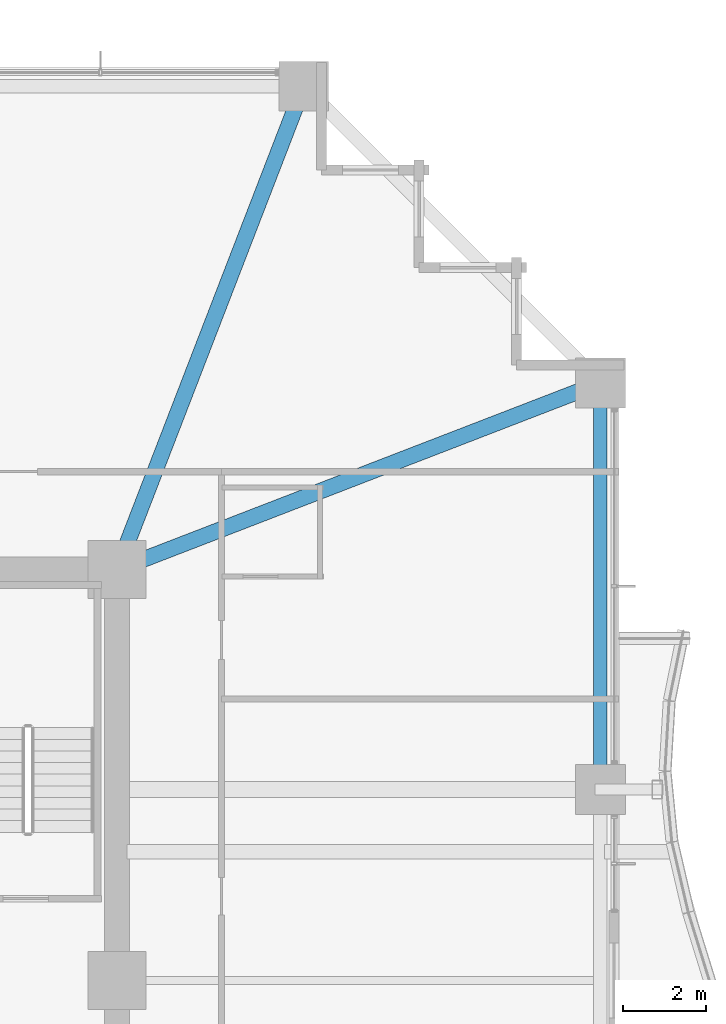
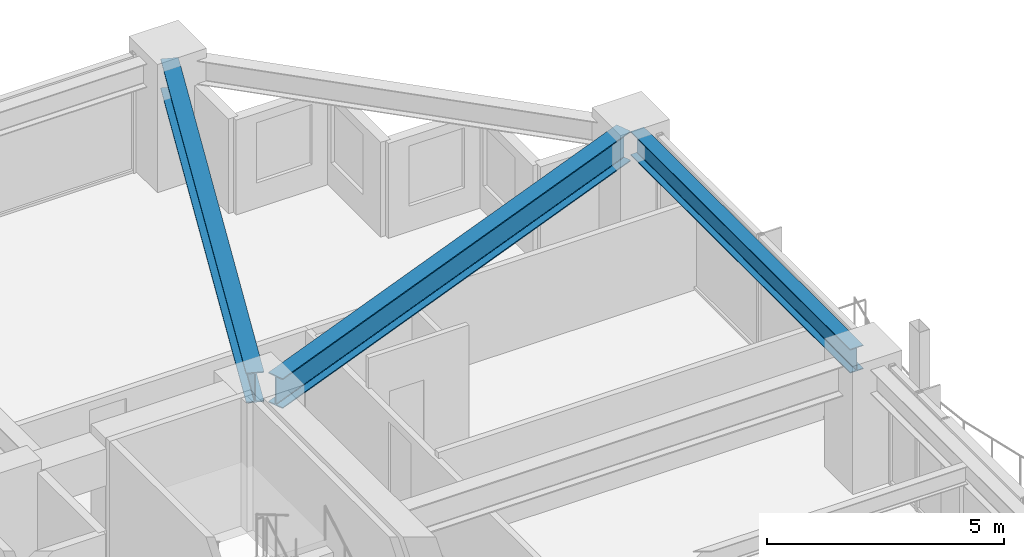
# One storey, part 22 of 36: 3 beams.
"""IFC4 building model written with IfcOpenShell, lengths in metres."""

from ifc_helpers import new_model, si_unit, direction, frame, origin, origin_2d, place, context, subcontext, project, spatial, i_section, extrude, material, material_profile, profile_set, type_object, element, save


model = new_model("IFC4")

# Units and contexts
model_context = context("Model", 3, precision=1e-05, world=origin(), true_north=direction((0.0, 1.0)))
body_context = subcontext(model_context, "Body", "Model", "MODEL_VIEW")
ifc_project = project(units=[si_unit("LENGTHUNIT", "METRE"), si_unit("AREAUNIT", "SQUARE_METRE"), si_unit("VOLUMEUNIT", "CUBIC_METRE"), si_unit("PLANEANGLEUNIT", "RADIAN"), si_unit("MASSUNIT", "GRAM", prefix="KILO")], contexts=[model_context])

# Site, building, storey
site_placement = place(None, origin())
site = spatial("IfcSite", under=ifc_project, at=site_placement, CompositionType="ELEMENT")
building_placement = place(site_placement, origin())
building = spatial("IfcBuilding", under=site, at=building_placement, Name="Kolvaren Belvedere", CompositionType="ELEMENT")
storey_placement = place(building_placement, frame((0.0, 0.0, 46.89990234375)))
storey = spatial("IfcBuildingStorey", under=building, at=storey_placement, Name="L13", CompositionType="ELEMENT", Elevation=46.89990234375)

# Beams
ifc_material_1 = material(Name="Structural steel ASTM A992 Grade 50", Category="steel")
ifc_material_profile_1 = material_profile(ifc_material_1, i_section(OverallWidth=0.381103515625, OverallDepth=0.77294921875, WebThickness=0.0166015625, FlangeThickness=0.027099609375, FilletRadius=0.02392578125, at=origin_2d()), Name="W30X173")
ifc_profile_set_1 = profile_set([ifc_material_profile_1], Name="Structural steel ASTM A992 Grade 50")
beam_type_1 = type_object("IfcBeamType", Name="BM-GIRD-W30X173", PredefinedType="BEAM", material=ifc_profile_set_1)
for number, where, z_axis, x_axis, name in (
    (1, (10.09814453125, 10.4130859375, 2.673583984375), (0.360318391835, 0.932829382313, 0.0), (-0.932829382313, 0.360318391835, 0.0), "L13 Corner Core-to-Perimeter Girder CC3-N4"),
    (2, (10.4130859375, 10.09814453125, 2.673583984375), (0.932829382313, 0.360318391835, 0.0), (-0.360318391835, 0.932829382313, 0.0), "L13 Corner Core-to-Perimeter Girder CC3-E4"),
):
    element("IfcBeam", number, at=place(storey_placement, frame(where, z_axis=z_axis, x_axis=x_axis)), inside=storey, type_object=beam_type_1, Name=name, PredefinedType="BEAM", context=body_context, shape_type="SweptSolid", body=[
        extrude(i_section(OverallWidth=0.381103515625, OverallDepth=0.77294921875, WebThickness=0.0166015625, FlangeThickness=0.027099609375, FilletRadius=0.02392578125, at=origin_2d()), origin(), (0.0, 0.0, 1.0), 11.698974609375),
    ])
ifc_material_2 = material(Name="Structural steel ASTM A992 Grade 50", Category="steel")
ifc_material_profile_2 = material_profile(ifc_material_2, i_section(OverallWidth=0.324951171875, OverallDepth=0.615966796875, WebThickness=0.013916015625, FlangeThickness=0.021484375, FilletRadius=0.02001953125, at=origin_2d()), Name="W24X117")
ifc_profile_set_2 = profile_set([ifc_material_profile_2], Name="Structural steel ASTM A992 Grade 50")
beam_type_2 = type_object("IfcBeamType", Name="BM-SPAN-W24X117", PredefinedType="SPANDREL", material=ifc_profile_set_2)
beam_placement = place(storey_placement, frame((21.550048828125, 4.8701171875, 2.752197265625), z_axis=(0.0, 1.0, 0.0), x_axis=(-1.0, 0.0, 0.0)))
element("IfcBeam", 3, at=beam_placement, inside=storey, type_object=beam_type_2, Name="L13 Perimeter Spandrel E3-E4", PredefinedType="SPANDREL", context=body_context, shape_type="SweptSolid", body=[
    extrude(i_section(OverallWidth=0.324951171875, OverallDepth=0.615966796875, WebThickness=0.013916015625, FlangeThickness=0.021484375, FilletRadius=0.02001953125, at=origin_2d()), origin(), (0.0, 0.0, 1.0), 9.259765625),
])

save(model, "model.ifc")
